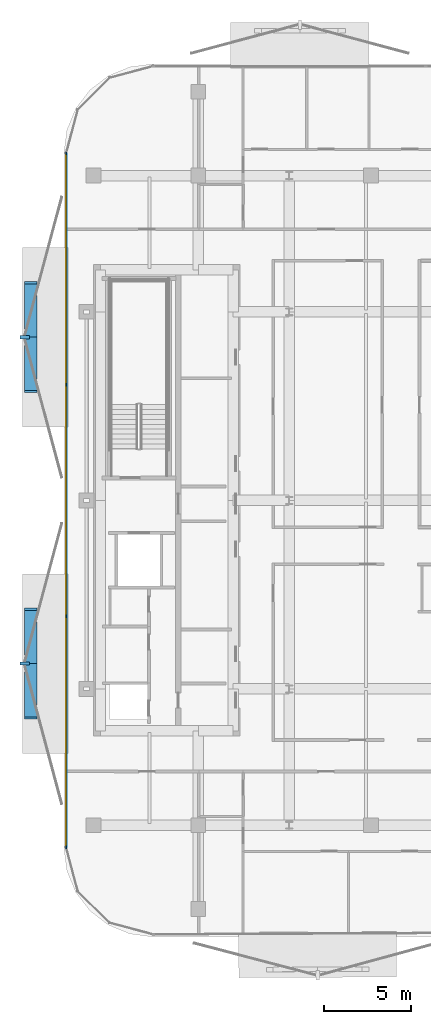
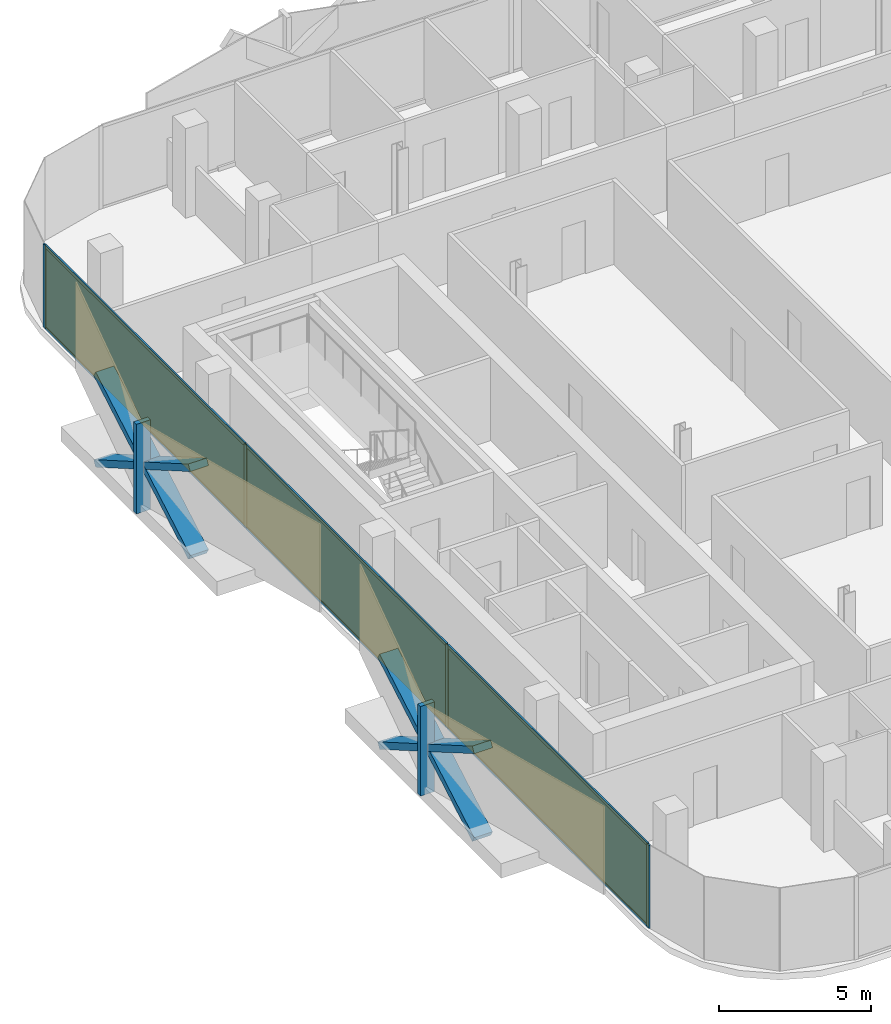
# One storey, part 9 of 16: 16 members, 3 plates, 1 curtain wall.
"""IFC4 building model written with IfcOpenShell, lengths in metres."""

from ifc_helpers import new_model, si_unit, direction, frame, frame_2d, origin, origin_2d, place, context, subcontext, project, spatial, rectangle, extrude, material, layer, layer_set, material_profile, profile_set, type_object, element, aggregate, save


model = new_model("IFC4")

# Units and contexts
model_context = context("Model", 3, precision=1e-05, world=origin(), true_north=direction((0.0, 1.0)))
body_context = subcontext(model_context, "Body", "Model", "MODEL_VIEW")
ifc_project = project(units=[si_unit("LENGTHUNIT", "METRE"), si_unit("AREAUNIT", "SQUARE_METRE"), si_unit("VOLUMEUNIT", "CUBIC_METRE"), si_unit("PLANEANGLEUNIT", "RADIAN"), si_unit("MASSUNIT", "GRAM", prefix="KILO")], contexts=[model_context])

# Member
ifc_material_1 = material(Name="Anodised Bronze Aluminium 6063-T6", Category="aluminium")
ifc_material_profile_1 = material_profile(ifc_material_1, rectangle(XDim=0.260009765625, YDim=0.699951171875, at=origin_2d()))
ifc_profile_set_1 = profile_set([ifc_material_profile_1], Name="Anodised Bronze Aluminium 6063-T6")
member_type_1 = type_object("IfcMemberType", Name="Bronze Diamond Solar-Screen Lattice Rib BDL-700", PredefinedType="MULLION", material=ifc_profile_set_1)
site_placement = place(None, origin())
building_placement = place(site_placement, origin())
storey_placement = place(building_placement, frame((0.0, 0.0, 258.39990234375)))
member_1_placement = place(storey_placement, frame((-24.0, -12.46044921875, -0.1298828125), z_axis=(0.0, 0.865840250196, 0.500320558383), x_axis=(0.0, -0.500320558383, 0.865840250196)))
member_1 = element("IfcMember", 1, at=member_1_placement, type_object=member_type_1, Name="L61 Bronze Diamond Solar Screen Lattice Rib 419A", PredefinedType="MULLION", context=body_context, shape_type="SweptSolid", body=[
    extrude(rectangle(XDim=0.260009765625, YDim=0.699951171875, at=origin_2d()), origin(), (0.0, 0.0, 1.0), 7.195556640625),
])

member_2_placement = place(storey_placement, frame((-24.0, -6.230224609375, -0.1298828125), z_axis=(0.0, -0.865840250196, 0.500320558383), x_axis=(0.0, 0.500320558383, 0.865840250196)))
member_2 = element("IfcMember", 2, at=member_2_placement, type_object=member_type_1, Name="L61 Bronze Diamond Solar Screen Lattice Rib 419B", PredefinedType="MULLION", context=body_context, shape_type="SweptSolid", body=[
    extrude(rectangle(XDim=0.260009765625, YDim=0.699951171875, at=origin_2d()), origin(), (0.0, 0.0, 1.0), 7.195556640625),
])

member_3_placement = place(storey_placement, frame((-24.0, 6.230224609375, -0.1298828125), z_axis=(0.0, 0.865840250196, 0.500320558383), x_axis=(0.0, -0.500320558383, 0.865840250196)))
member_3 = element("IfcMember", 3, at=member_3_placement, type_object=member_type_1, Name="L61 Bronze Diamond Solar Screen Lattice Rib 420A", PredefinedType="MULLION", context=body_context, shape_type="SweptSolid", body=[
    extrude(rectangle(XDim=0.260009765625, YDim=0.699951171875, at=origin_2d()), origin(), (0.0, 0.0, 1.0), 7.195556640625),
])

member_4_placement = place(storey_placement, frame((-24.0, 12.46044921875, -0.1298828125), z_axis=(0.0, -0.865840250196, 0.500320558383), x_axis=(0.0, 0.500320558383, 0.865840250196)))
member_4 = element("IfcMember", 4, at=member_4_placement, type_object=member_type_1, Name="L61 Bronze Diamond Solar Screen Lattice Rib 420B", PredefinedType="MULLION", context=body_context, shape_type="SweptSolid", body=[
    extrude(rectangle(XDim=0.260009765625, YDim=0.699951171875, at=origin_2d()), origin(), (0.0, 0.0, 1.0), 7.195556640625),
])

ifc_material_2 = material(Name="Anodised Bronze Aluminium 6063-T6", Category="aluminium")
ifc_material_profile_2 = material_profile(ifc_material_2, rectangle(XDim=0.179931640625, YDim=0.5400390625, at=origin_2d()))
ifc_profile_set_2 = profile_set([ifc_material_profile_2], Name="Anodised Bronze Aluminium 6063-T6")
member_type_2 = type_object("IfcMemberType", Name="Bronze Solar-Screen Vertical Fold Fin BSF-540", PredefinedType="MULLION", material=ifc_profile_set_2)
member_5_placement = place(storey_placement, frame((-24.340087890625, -9.345458984375, -0.1298828125), z_axis=(0.0, 0.0, 1.0), x_axis=(0.0, 1.0, 0.0)))
member_5 = element("IfcMember", 5, at=member_5_placement, type_object=member_type_2, Name="L61 Bronze Solar Screen Vertical Fin 419", PredefinedType="MULLION", context=body_context, shape_type="SweptSolid", body=[
    extrude(rectangle(XDim=0.179931640625, YDim=0.5400390625, at=origin_2d()), origin(), (0.0, 0.0, 1.0), 3.60009765625),
])

member_6_placement = place(storey_placement, frame((-24.340087890625, 9.345458984375, -0.1298828125), z_axis=(0.0, 0.0, 1.0), x_axis=(0.0, 1.0, 0.0)))
member_6 = element("IfcMember", 6, at=member_6_placement, type_object=member_type_2, Name="L61 Bronze Solar Screen Vertical Fin 420", PredefinedType="MULLION", context=body_context, shape_type="SweptSolid", body=[
    extrude(rectangle(XDim=0.179931640625, YDim=0.5400390625, at=origin_2d()), origin(), (0.0, 0.0, 1.0), 3.60009765625),
])

ifc_material_3 = material(Name="Anodised Bronze Aluminium 6063-T6", Category="aluminium")
ifc_material_profile_3 = material_profile(ifc_material_3, rectangle(XDim=0.06005859375, YDim=0.159912109375, at=origin_2d()))
ifc_profile_set_3 = profile_set([ifc_material_profile_3], Name="Anodised Bronze Aluminium 6063-T6")
member_type_3 = type_object("IfcMemberType", Name="CW-Z4 Mullion 60x160", PredefinedType="MULLION", material=ifc_profile_set_3)
member_7_placement = place(storey_placement, frame((-21.9599609375, -19.86083984375, 0.0), z_axis=(0.0, 0.0, 1.0), x_axis=(-1.0, 0.0, 0.0)))
member_7 = element("IfcMember", 7, at=member_7_placement, type_object=member_type_3, Name="CW-Z4 mullion 1", PredefinedType="MULLION", context=body_context, shape_type="SweptSolid", body=[
    extrude(rectangle(XDim=0.06005859375, YDim=0.159912109375, at=origin_2d()), origin(), (0.0, 0.0, 1.0), 3.340087890625),
])

member_8_placement = place(storey_placement, frame((-21.9599609375, -6.63037109375, 0.0), z_axis=(0.0, 0.0, 1.0), x_axis=(-1.0, 0.0, 0.0)))
member_8 = element("IfcMember", 8, at=member_8_placement, type_object=member_type_3, Name="CW-Z4 mullion 2", PredefinedType="MULLION", context=body_context, shape_type="SweptSolid", body=[
    extrude(rectangle(XDim=0.06005859375, YDim=0.159912109375, at=origin_2d()), origin(), (0.0, 0.0, 1.0), 3.340087890625),
])

member_9_placement = place(storey_placement, frame((-21.9599609375, 6.63037109375, 0.0), z_axis=(0.0, 0.0, 1.0), x_axis=(-1.0, 0.0, 0.0)))
member_9 = element("IfcMember", 9, at=member_9_placement, type_object=member_type_3, Name="CW-Z4 mullion 3", PredefinedType="MULLION", context=body_context, shape_type="SweptSolid", body=[
    extrude(rectangle(XDim=0.06005859375, YDim=0.159912109375, at=origin_2d()), origin(), (0.0, 0.0, 1.0), 3.340087890625),
])

member_10_placement = place(storey_placement, frame((-21.9599609375, 19.86083984375, 0.0), z_axis=(0.0, 0.0, 1.0), x_axis=(-1.0, 0.0, 0.0)))
member_10 = element("IfcMember", 10, at=member_10_placement, type_object=member_type_3, Name="CW-Z4 mullion 4", PredefinedType="MULLION", context=body_context, shape_type="SweptSolid", body=[
    extrude(rectangle(XDim=0.06005859375, YDim=0.159912109375, at=origin_2d()), origin(), (0.0, 0.0, 1.0), 3.340087890625),
])

ifc_material_4 = material(Name="Anodised Bronze Aluminium 6063-T6", Category="aluminium")
ifc_material_profile_4 = material_profile(ifc_material_4, rectangle(XDim=0.06005859375, YDim=0.125, at=origin_2d()))
ifc_profile_set_4 = profile_set([ifc_material_profile_4], Name="Anodised Bronze Aluminium 6063-T6")
member_type_4 = type_object("IfcMemberType", Name="CW-Z4 Transom 60x125", PredefinedType="USERDEFINED", material=ifc_profile_set_4)
member_11_placement = place(storey_placement, frame((-21.9599609375, -19.830810546875, 0.030029296875), z_axis=(0.0, 1.0, 0.0), x_axis=(-1.0, 0.0, 0.0)))
member_11 = element("IfcMember", 11, at=member_11_placement, type_object=member_type_4, Name="CW-Z4 transom 1.1", ObjectType="TRANSOM", PredefinedType="USERDEFINED", context=body_context, shape_type="SweptSolid", body=[
    extrude(rectangle(XDim=0.06005859375, YDim=0.125, at=origin_2d()), origin(), (0.0, 0.0, 1.0), 13.170654296875),
])

member_12_placement = place(storey_placement, frame((-21.9599609375, -19.830810546875, 3.31005859375), z_axis=(0.0, 1.0, 0.0), x_axis=(-1.0, 0.0, 0.0)))
member_12 = element("IfcMember", 12, at=member_12_placement, type_object=member_type_4, Name="CW-Z4 transom 1.2", ObjectType="TRANSOM", PredefinedType="USERDEFINED", context=body_context, shape_type="SweptSolid", body=[
    extrude(rectangle(XDim=0.06005859375, YDim=0.125, at=origin_2d()), origin(), (0.0, 0.0, 1.0), 13.170654296875),
])

member_13_placement = place(storey_placement, frame((-21.9599609375, -6.600341796875, 0.030029296875), z_axis=(0.0, 1.0, 0.0), x_axis=(-1.0, 0.0, 0.0)))
member_13 = element("IfcMember", 13, at=member_13_placement, type_object=member_type_4, Name="CW-Z4 transom 2.1", ObjectType="TRANSOM", PredefinedType="USERDEFINED", context=body_context, shape_type="SweptSolid", body=[
    extrude(rectangle(XDim=0.06005859375, YDim=0.125, at=origin_2d()), origin(), (0.0, 0.0, 1.0), 13.20068359375),
])

member_14_placement = place(storey_placement, frame((-21.9599609375, -6.600341796875, 3.31005859375), z_axis=(0.0, 1.0, 0.0), x_axis=(-1.0, 0.0, 0.0)))
member_14 = element("IfcMember", 14, at=member_14_placement, type_object=member_type_4, Name="CW-Z4 transom 2.2", ObjectType="TRANSOM", PredefinedType="USERDEFINED", context=body_context, shape_type="SweptSolid", body=[
    extrude(rectangle(XDim=0.06005859375, YDim=0.125, at=origin_2d()), origin(), (0.0, 0.0, 1.0), 13.20068359375),
])

member_15_placement = place(storey_placement, frame((-21.9599609375, 6.66015625, 0.030029296875), z_axis=(0.0, 1.0, 0.0), x_axis=(-1.0, 0.0, 0.0)))
member_15 = element("IfcMember", 15, at=member_15_placement, type_object=member_type_4, Name="CW-Z4 transom 3.1", ObjectType="TRANSOM", PredefinedType="USERDEFINED", context=body_context, shape_type="SweptSolid", body=[
    extrude(rectangle(XDim=0.06005859375, YDim=0.125, at=origin_2d()), origin(), (0.0, 0.0, 1.0), 13.170654296875),
])

member_16_placement = place(storey_placement, frame((-21.9599609375, 6.66015625, 3.31005859375), z_axis=(0.0, 1.0, 0.0), x_axis=(-1.0, 0.0, 0.0)))
member_16 = element("IfcMember", 16, at=member_16_placement, type_object=member_type_4, Name="CW-Z4 transom 3.2", ObjectType="TRANSOM", PredefinedType="USERDEFINED", context=body_context, shape_type="SweptSolid", body=[
    extrude(rectangle(XDim=0.06005859375, YDim=0.125, at=origin_2d()), origin(), (0.0, 0.0, 1.0), 13.170654296875),
])

# Plate
ifc_material_5 = material(Name="Low-E Solar Control Laminated Glass", Category="glass")
ifc_layer_1 = layer(ifc_material_5, 0.030029296875, Name="Low-E Solar Control Laminated Glass")
ifc_layer_set_1 = layer_set([ifc_layer_1], Name="Low-E Solar Control Laminated Glass")
plate_type = type_object("IfcPlateType", Name="CW-Z4 Low-E Double Glazed Panel 30mm", PredefinedType="CURTAIN_PANEL", material=ifc_layer_set_1)
plate_1_placement = place(storey_placement, frame((-21.9599609375, -13.24560546875, 0.06005859375), z_axis=(0.0, 0.0, 1.0), x_axis=(0.0, 1.0, 0.0)))
plate_1 = element("IfcPlate", 17, at=plate_1_placement, type_object=plate_type, Name="CW-Z4 panel 1.1", PredefinedType="CURTAIN_PANEL", context=body_context, shape_type="SweptSolid", body=[
    extrude(rectangle(XDim=13.170654296875, YDim=0.030029296875, at=origin_2d()), origin(), (0.0, 0.0, 1.0), 3.219970703125),
])

plate_2_placement = place(storey_placement, frame((-21.9599609375, 0.0, 0.06005859375), z_axis=(0.0, 0.0, 1.0), x_axis=(0.0, 1.0, 0.0)))
plate_2 = element("IfcPlate", 18, at=plate_2_placement, type_object=plate_type, Name="CW-Z4 panel 2.1", PredefinedType="CURTAIN_PANEL", context=body_context, shape_type="SweptSolid", body=[
    extrude(rectangle(XDim=13.200439453125, YDim=0.030029296875, at=origin_2d()), origin(), (0.0, 0.0, 1.0), 3.219970703125),
])

plate_3_placement = place(storey_placement, frame((-21.9599609375, 13.24560546875, 0.06005859375), z_axis=(0.0, 0.0, 1.0), x_axis=(0.0, 1.0, 0.0)))
plate_3 = element("IfcPlate", 19, at=plate_3_placement, type_object=plate_type, Name="CW-Z4 panel 3.1", PredefinedType="CURTAIN_PANEL", context=body_context, shape_type="SweptSolid", body=[
    extrude(rectangle(XDim=13.170654296875, YDim=0.030029296875, at=origin_2d()), origin(), (0.0, 0.0, 1.0), 3.219970703125),
])

# Site, building, storey
site = spatial("IfcSite", under=ifc_project, at=site_placement, CompositionType="ELEMENT")
building = spatial("IfcBuilding", under=site, at=building_placement, Name="Khairoan Windgate Tower", CompositionType="ELEMENT")
storey = spatial("IfcBuildingStorey", under=building, at=storey_placement, Name="L61", CompositionType="ELEMENT", Elevation=258.39990234375)

# Curtain wall
ifc_material_6 = material(Name="Anodised Bronze Aluminium 6063-T6", Category="aluminium")
ifc_layer_2 = layer(ifc_material_6, 0.159912109375, Name="Anodised Bronze Aluminium 6063-T6")
ifc_layer_set_2 = layer_set([ifc_layer_2], Name="Anodised Bronze Aluminium 6063-T6")
curtain_wall_type = type_object("IfcCurtainWallType", Name="Sky Residence Unitised Curtain Wall CW-Z4", PredefinedType="NOTDEFINED", material=ifc_layer_set_2)
curtain_wall_placement = place(storey_placement, frame((-21.9599609375, -19.890869140625, 0.0), z_axis=(0.0, 0.0, 1.0), x_axis=(0.0, 1.0, 0.0)))
curtain_wall = element("IfcCurtainWall", 20, at=curtain_wall_placement, inside=storey, type_object=curtain_wall_type, Name="L61 Unitised Curtain Wall 5", PredefinedType="NOTDEFINED", context=body_context, shape_type="SweptSolid", body=[
    extrude(rectangle(XDim=39.78173828125, YDim=0.010009765625, at=frame_2d((19.890869140625, 0.0))), origin(), (0.0, 0.0, 1.0), 3.340087890625),
])

aggregate(curtain_wall, [member_7, member_8, member_9, member_10, member_11, member_12, plate_1, member_13, member_14, plate_2, member_15, member_16, plate_3, member_1, member_2, member_5, member_3, member_4, member_6])

save(model, "model.ifc")
